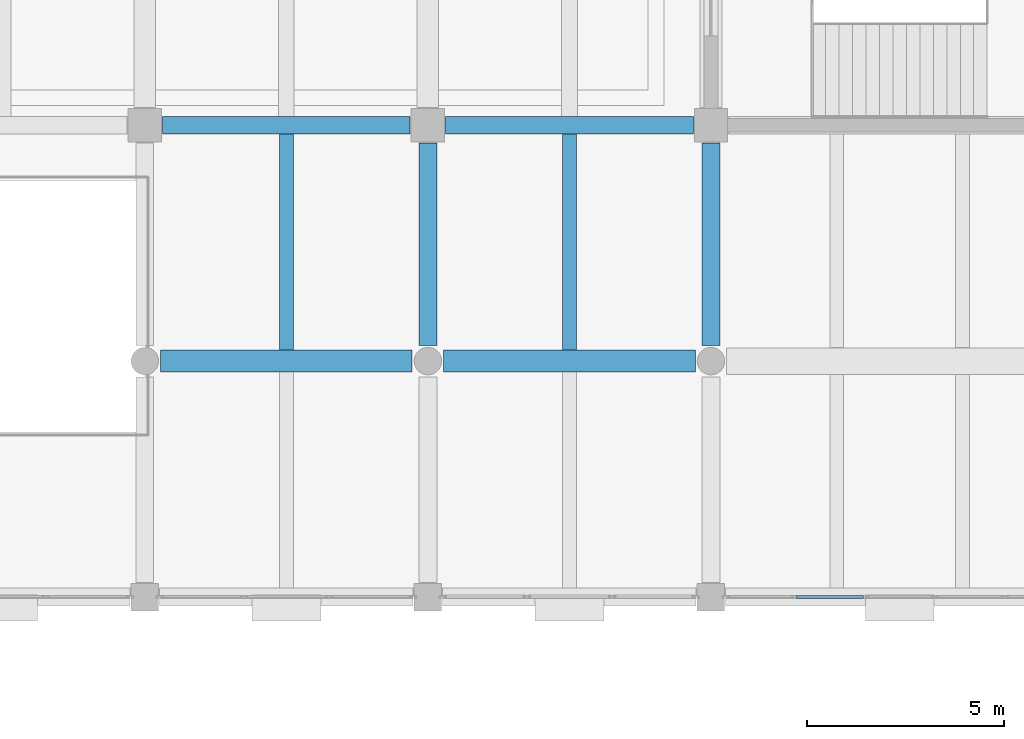
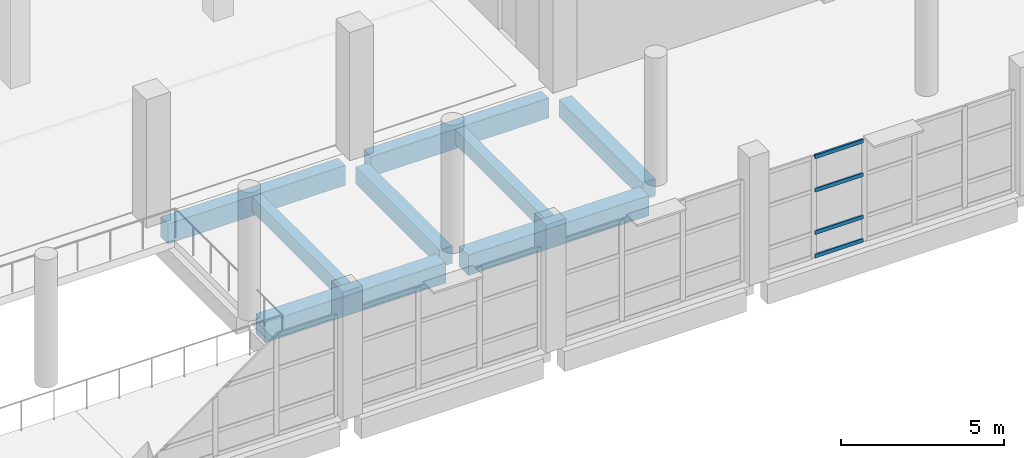
# One storey, part 39 of 91: 8 beams, 4 members, 1 element without a shape of its own.
"""IFC4 building model written with IfcOpenShell, lengths in metres."""

from ifc_helpers import new_model, si_unit, direction, frame, origin, origin_2d, place, context, subcontext, project, spatial, rectangle, hollow_rectangle, extrude, material, material_profile, profile_set, type_object, element, aggregate, save


model = new_model("IFC4")

# Units and contexts
model_context = context("Model", 3, precision=1e-05, world=origin(), true_north=direction((0.0, 1.0)))
body_context = subcontext(model_context, "Body", "Model", "MODEL_VIEW")
ifc_project = project(units=[si_unit("LENGTHUNIT", "METRE"), si_unit("AREAUNIT", "SQUARE_METRE"), si_unit("VOLUMEUNIT", "CUBIC_METRE"), si_unit("PLANEANGLEUNIT", "RADIAN"), si_unit("MASSUNIT", "GRAM", prefix="KILO")], contexts=[model_context])

# Site, building, storey
site_placement = place(None, origin())
site = spatial("IfcSite", under=ifc_project, at=site_placement, CompositionType="ELEMENT")
building_placement = place(site_placement, origin())
building = spatial("IfcBuilding", under=site, at=building_placement, Name="Pellamere Symphony Hall", CompositionType="ELEMENT")
storey_placement = place(building_placement, frame((0.0, 0.0, 5.39990234375)))
storey = spatial("IfcBuildingStorey", under=building, at=storey_placement, Name="L01", CompositionType="ELEMENT", Elevation=5.39990234375)

# Curtain wall, members
ifc_material_1 = material(Name="Thermally Broken Anodised Aluminium 6063-T6 Curtain Wall", Category="aluminium")
curtain_wall_type = type_object("IfcCurtainWallType", Name="Curtain Wall CW-02 (Winter-Garden South Concourse Curtain Wall)", PredefinedType="NOTDEFINED", material=ifc_material_1)
curtain_wall_placement = place(storey_placement, origin())
curtain_wall = element("IfcCurtainWall", 1, at=curtain_wall_placement, inside=storey, type_object=curtain_wall_type, Name="Winter-Garden South Curtain Wall (L01 Bay 10)", PredefinedType="NOTDEFINED")
ifc_material_2 = material(Name="Anodised Architectural Aluminium 6063-T6", Category="aluminium")
ifc_material_profile_1 = material_profile(ifc_material_2, hollow_rectangle(XDim=0.06494140625, YDim=0.139892578125, WallThickness=0.00390625, at=origin_2d()), Name="ALU-T65X140X4")
ifc_profile_set_1 = profile_set([ifc_material_profile_1], Name="Anodised Architectural Aluminium 6063-T6")
member_type = type_object("IfcMemberType", Name="Curtain Wall Transom TR-02 ALU-T65X140X4", PredefinedType="USERDEFINED", material=ifc_profile_set_1)
member_1_placement = place(storey_placement, frame((111.362548828125, 18.0, 0.03271484375), z_axis=(1.0, 0.0, 0.0), x_axis=(0.0, 1.0, 0.0)))
member_1 = element("IfcMember", 2, at=member_1_placement, type_object=member_type, Name="CW2-075 crystal transom 2.1", ObjectType="TRANSOM", PredefinedType="USERDEFINED", context=body_context, shape_type="SweptSolid", body=[
    extrude(hollow_rectangle(XDim=0.06494140625, YDim=0.139892578125, WallThickness=0.00390625, at=origin_2d()), origin(), (0.0, 0.0, 1.0), 1.71484375),
])
member_2_placement = place(storey_placement, frame((111.362548828125, 18.0, 0.9072265625), z_axis=(1.0, 0.0, 0.0), x_axis=(0.0, 1.0, 0.0)))
member_2 = element("IfcMember", 3, at=member_2_placement, type_object=member_type, Name="CW2-075 crystal transom 2.2", ObjectType="TRANSOM", PredefinedType="USERDEFINED", context=body_context, shape_type="SweptSolid", body=[
    extrude(hollow_rectangle(XDim=0.06494140625, YDim=0.139892578125, WallThickness=0.00390625, at=origin_2d()), origin(), (0.0, 0.0, 1.0), 1.71484375),
])
member_3_placement = place(storey_placement, frame((111.362548828125, 18.0, 2.494873046875), z_axis=(1.0, 0.0, 0.0), x_axis=(0.0, 1.0, 0.0)))
member_3 = element("IfcMember", 4, at=member_3_placement, type_object=member_type, Name="CW2-075 crystal transom 2.3", ObjectType="TRANSOM", PredefinedType="USERDEFINED", context=body_context, shape_type="SweptSolid", body=[
    extrude(hollow_rectangle(XDim=0.06494140625, YDim=0.139892578125, WallThickness=0.00390625, at=origin_2d()), origin(), (0.0, 0.0, 1.0), 1.71484375),
])
member_4_placement = place(storey_placement, frame((111.362548828125, 18.0, 3.74755859375), z_axis=(1.0, 0.0, 0.0), x_axis=(0.0, 1.0, 0.0)))
member_4 = element("IfcMember", 5, at=member_4_placement, type_object=member_type, Name="CW2-075 crystal transom 2.4", ObjectType="TRANSOM", PredefinedType="USERDEFINED", context=body_context, shape_type="SweptSolid", body=[
    extrude(hollow_rectangle(XDim=0.06494140625, YDim=0.139892578125, WallThickness=0.00390625, at=origin_2d()), origin(), (0.0, 0.0, 1.0), 1.71484375),
])
aggregate(curtain_wall, [member_1, member_2, member_3, member_4])

# Beams
ifc_material_3 = material(Name="Concrete 40 MPa", Category="concrete")
ifc_material_profile_2 = material_profile(ifc_material_3, rectangle(XDim=0.449951171875, YDim=0.64990234375, at=origin_2d()), Name="RC 450x650")
ifc_profile_set_2 = profile_set([ifc_material_profile_2], Name="Concrete 40 MPa")
beam_type_1 = type_object("IfcBeamType", Name="RC CB-08 450x650", PredefinedType="BEAM", material=ifc_profile_set_2)
for number, where, z_axis, x_axis, name in (
    (6, (102.0, 24.39990234375, -0.60498046875), (0.0, 1.0, 0.0), (-1.0, 0.0, 0.0), "Girder CB-08-Y0802 (L01)"),
    (7, (109.199951171875, 24.39990234375, -0.60498046875), (0.0, 1.0, 0.0), (-1.0, 0.0, 0.0), "Girder CB-08-Y0811 (L01)"),
):
    element("IfcBeam", number, at=place(storey_placement, frame(where, z_axis=z_axis, x_axis=x_axis)), inside=storey, type_object=beam_type_1, Name=name, PredefinedType="BEAM", context=body_context, shape_type="SweptSolid", body=[
        extrude(rectangle(XDim=0.449951171875, YDim=0.64990234375, at=origin_2d()), origin(), (0.0, 0.0, 1.0), 5.150146484375),
    ])
ifc_material_4 = material(Name="Concrete 35 MPa", Category="concrete")
ifc_material_profile_3 = material_profile(ifc_material_4, rectangle(XDim=0.35009765625, YDim=0.550048828125, at=origin_2d()), Name="RC 350x550")
ifc_profile_set_3 = profile_set([ifc_material_profile_3], Name="Concrete 35 MPa")
beam_type_2 = type_object("IfcBeamType", Name="RC CB-10 350x550", PredefinedType="BEAM", material=ifc_profile_set_3)
for number, where, z_axis, x_axis, name in (
    (8, (98.39990234375, 24.280029296875, -0.56982421875), (0.0, 1.0, 0.0), (-1.0, 0.0, 0.0), "Secondary Floor Beam CB-10-M1203 (L01)"),
    (9, (105.60009765625, 24.280029296875, -0.56982421875), (0.0, 1.0, 0.0), (-1.0, 0.0, 0.0), "Secondary Floor Beam CB-10-M1303 (L01)"),
):
    element("IfcBeam", number, at=place(storey_placement, frame(where, z_axis=z_axis, x_axis=x_axis)), inside=storey, type_object=beam_type_2, Name=name, PredefinedType="BEAM", context=body_context, shape_type="SweptSolid", body=[
        extrude(rectangle(XDim=0.35009765625, YDim=0.550048828125, at=origin_2d()), origin(), (0.0, 0.0, 1.0), 5.494873046875),
    ])
ifc_material_profile_4 = material_profile(ifc_material_3, rectangle(XDim=0.449951171875, YDim=0.75, at=origin_2d()), Name="RC 450x750")
ifc_profile_set_4 = profile_set([ifc_material_profile_4], Name="Concrete 40 MPa")
beam_type_3 = type_object("IfcBeamType", Name="RC CB-12 450x750", PredefinedType="SPANDREL", material=ifc_profile_set_4)
for number, where, z_axis, x_axis, name in (
    (10, (95.25, 30.0, -0.65478515625), (1.0, 0.0, 0.0), (0.0, 1.0, 0.0), "Girder CB-12-X0586 (L01)"),
    (11, (102.449951171875, 30.0, -0.65478515625), (1.0, 0.0, 0.0), (0.0, 1.0, 0.0), "Girder CB-12-X0587 (L01)"),
):
    element("IfcBeam", number, at=place(storey_placement, frame(where, z_axis=z_axis, x_axis=x_axis)), inside=storey, type_object=beam_type_3, Name=name, PredefinedType="SPANDREL", context=body_context, shape_type="SweptSolid", body=[
        extrude(rectangle(XDim=0.449951171875, YDim=0.75, at=origin_2d()), origin(), (0.0, 0.0, 1.0), 6.300048828125),
    ])
ifc_material_profile_5 = material_profile(ifc_material_3, rectangle(XDim=0.56005859375, YDim=0.760009765625, at=origin_2d()), Name="RC 560x760")
ifc_profile_set_5 = profile_set([ifc_material_profile_5], Name="Concrete 40 MPa")
beam_type_4 = type_object("IfcBeamType", Name="RC CB-18 560x760", PredefinedType="BEAM", material=ifc_profile_set_5)
for number, where, z_axis, x_axis, name in (
    (12, (95.199951171875, 24.0, -0.659912109375), (1.0, 0.0, 0.0), (0.0, 1.0, 0.0), "Girder CB-18-X0568 (L01)"),
    (13, (102.39990234375, 24.0, -0.659912109375), (1.0, 0.0, 0.0), (0.0, 1.0, 0.0), "Girder CB-18-X0569 (L01)"),
):
    element("IfcBeam", number, at=place(storey_placement, frame(where, z_axis=z_axis, x_axis=x_axis)), inside=storey, type_object=beam_type_4, Name=name, PredefinedType="BEAM", context=body_context, shape_type="SweptSolid", body=[
        extrude(rectangle(XDim=0.56005859375, YDim=0.760009765625, at=origin_2d()), origin(), (0.0, 0.0, 1.0), 6.400146484375),
    ])

save(model, "model.ifc")
